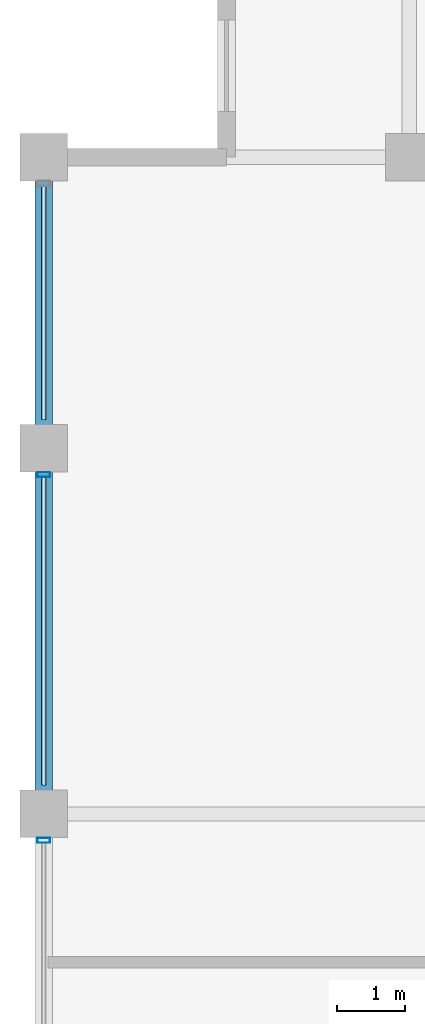
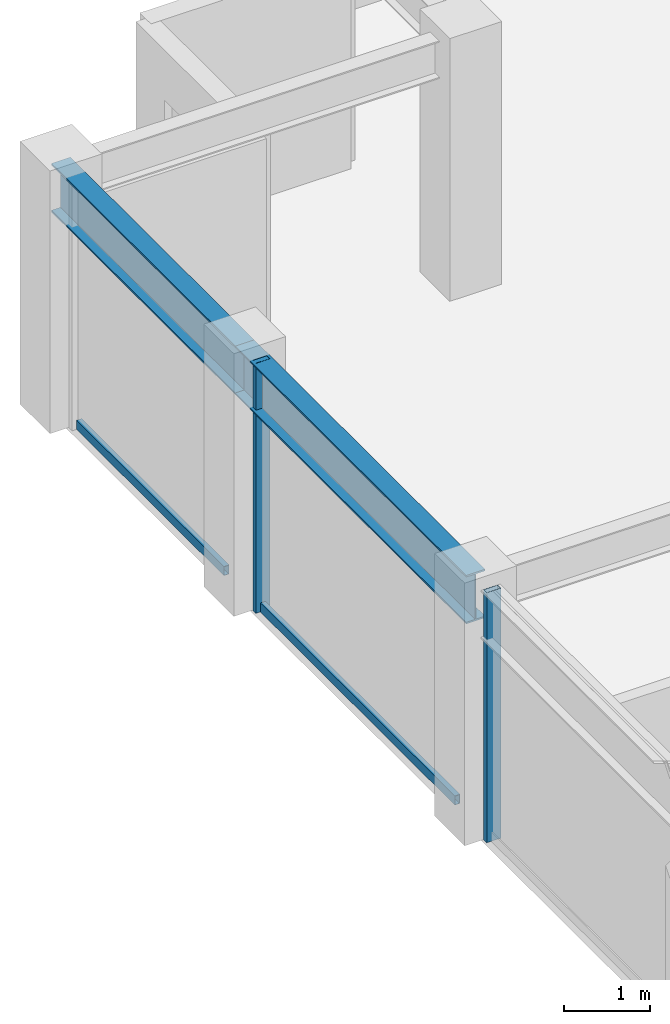
# One storey, part 14 of 30: 4 members, 2 beams, 1 element without a shape of its own.
"""IFC4 building model written with IfcOpenShell, lengths in metres."""

from ifc_helpers import new_model, si_unit, direction, frame, origin, origin_2d, place, context, subcontext, project, spatial, hollow_rectangle, i_section, extrude, material, layer, layer_set, material_profile, profile_set, type_object, element, aggregate, save


model = new_model("IFC4")

# Units and contexts
model_context = context("Model", 3, precision=1e-05, world=origin(), true_north=direction((0.0, 1.0)))
body_context = subcontext(model_context, "Body", "Model", "MODEL_VIEW")
ifc_project = project(units=[si_unit("LENGTHUNIT", "METRE"), si_unit("AREAUNIT", "SQUARE_METRE"), si_unit("VOLUMEUNIT", "CUBIC_METRE"), si_unit("PLANEANGLEUNIT", "RADIAN"), si_unit("MASSUNIT", "GRAM", prefix="KILO")], contexts=[model_context])

# Site, building, storey
site_placement = place(None, origin())
site = spatial("IfcSite", under=ifc_project, at=site_placement, CompositionType="ELEMENT")
building_placement = place(site_placement, origin())
building = spatial("IfcBuilding", under=site, at=building_placement, Name="Surkhivell Harbour Commons", CompositionType="ELEMENT")
storey_placement = place(building_placement, frame((0.0, 0.0, 300.0)))
storey = spatial("IfcBuildingStorey", under=building, at=storey_placement, Name="L78", CompositionType="ELEMENT", Elevation=300.0)

# Beams
ifc_material_1 = material(Name="Steel S355", Category="steel")
ifc_material_profile_1 = material_profile(ifc_material_1, i_section(OverallWidth=0.256103515625, OverallDepth=0.693115234375, WebThickness=0.014404296875, FlangeThickness=0.023681640625, at=origin_2d()), Name="UB686x254x170")
ifc_profile_set_1 = profile_set([ifc_material_profile_1], Name="Steel S355")
beam_type = type_object("IfcBeamType", Name="BM-SPN-686", PredefinedType="SPANDREL", material=ifc_profile_set_1)
beam_1_placement = place(storey_placement, frame((-27.0, 10.800048828125, 3.223388671875), z_axis=(0.0, 1.0, 0.0), x_axis=(-1.0, 0.0, 0.0)))
element("IfcBeam", 1, at=beam_1_placement, inside=storey, type_object=beam_type, Name="L78 Tube Spandrel (-27.0,10.8)", PredefinedType="SPANDREL", context=body_context, shape_type="SweptSolid", body=[
    extrude(i_section(OverallWidth=0.256103515625, OverallDepth=0.693115234375, WebThickness=0.014404296875, FlangeThickness=0.023681640625, at=origin_2d()), origin(), (0.0, 0.0, 1.0), 5.39990234375),
])
beam_2_placement = place(storey_placement, frame((-27.0, 16.199951171875, 3.223388671875), z_axis=(0.0, 1.0, 0.0), x_axis=(-1.0, 0.0, 0.0)))
element("IfcBeam", 2, at=beam_2_placement, inside=storey, type_object=beam_type, Name="L78 Tube Spandrel (-27.0,16.2)", PredefinedType="SPANDREL", context=body_context, shape_type="SweptSolid", body=[
    extrude(i_section(OverallWidth=0.256103515625, OverallDepth=0.693115234375, WebThickness=0.014404296875, FlangeThickness=0.023681640625, at=origin_2d()), origin(), (0.0, 0.0, 1.0), 4.300048828125),
])

# Curtain wall, members
ifc_material_2 = material(Name="Anodised pale-metal aluminium and insulated glazing", Category="aluminium")
ifc_layer = layer(ifc_material_2, 0.175048828125)
ifc_layer_set = layer_set([ifc_layer], Name="Anodised pale-metal aluminium and insulated glazing")
curtain_wall_type = type_object("IfcCurtainWallType", Name="CW-SYS-Z4", PredefinedType="NOTDEFINED", material=ifc_layer_set)
curtain_wall_placement = place(storey_placement, origin())
curtain_wall = element("IfcCurtainWall", 3, at=curtain_wall_placement, inside=storey, type_object=curtain_wall_type, Name="L78 Curtain Wall CW-L78-E12S1", PredefinedType="NOTDEFINED")
ifc_material_3 = material(Name="Anodised pale-metal aluminium alloy 6063-T6", Category="aluminium")
ifc_material_profile_2 = material_profile(ifc_material_3, hollow_rectangle(XDim=0.074951171875, YDim=0.18994140625, WallThickness=0.00390625, at=origin_2d()), Name="ALU-MULL-75x190")
ifc_profile_set_2 = profile_set([ifc_material_profile_2], Name="Anodised pale-metal aluminium alloy 6063-T6")
member_type_1 = type_object("IfcMemberType", Name="CWM-190", PredefinedType="MULLION", material=ifc_profile_set_2)
member_1_placement = place(storey_placement, frame((-27.0, 15.810546875, 0.0), z_axis=(0.0, 0.0, 1.0), x_axis=(0.0, -1.0, 0.0)))
member_1 = element("IfcMember", 4, at=member_1_placement, type_object=member_type_1, Name="CW-Z4 mullion 2", PredefinedType="MULLION", context=body_context, shape_type="SweptSolid", body=[
    extrude(hollow_rectangle(XDim=0.074951171875, YDim=0.18994140625, WallThickness=0.00390625, at=origin_2d()), origin(), (0.0, 0.0, 1.0), 3.570068359375),
])
member_2_placement = place(storey_placement, frame((-27.0, 10.410400390625, 0.0), z_axis=(0.0, 0.0, 1.0), x_axis=(0.0, -1.0, 0.0)))
member_2 = element("IfcMember", 5, at=member_2_placement, type_object=member_type_1, Name="CW-Z4 mullion 3", PredefinedType="MULLION", context=body_context, shape_type="SweptSolid", body=[
    extrude(hollow_rectangle(XDim=0.074951171875, YDim=0.18994140625, WallThickness=0.00390625, at=origin_2d()), origin(), (0.0, 0.0, 1.0), 3.570068359375),
])
ifc_material_4 = material(Name="Champagne anodised aluminium alloy 6063-T6", Category="aluminium")
ifc_material_profile_3 = material_profile(ifc_material_4, hollow_rectangle(XDim=0.070068359375, YDim=0.1298828125, WallThickness=0.00341796875, at=origin_2d()), Name="ALU-TRAN-70x130")
ifc_profile_set_3 = profile_set([ifc_material_profile_3], Name="Champagne anodised aluminium alloy 6063-T6")
member_type_2 = type_object("IfcMemberType", Name="CWT-130", PredefinedType="USERDEFINED", material=ifc_profile_set_3)
member_3_placement = place(storey_placement, frame((-27.0, 20.072998046875, 0.06494140625), z_axis=(0.0, -1.0, 0.0), x_axis=(1.0, 0.0, 0.0)))
member_3 = element("IfcMember", 6, at=member_3_placement, type_object=member_type_2, Name="CW-Z4 transom 1.1", ObjectType="TRANSOM", PredefinedType="USERDEFINED", context=body_context, shape_type="SweptSolid", body=[
    extrude(hollow_rectangle(XDim=0.070068359375, YDim=0.1298828125, WallThickness=0.00341796875, at=origin_2d()), origin(), (0.0, 0.0, 1.0), 3.446044921875),
])
member_4_placement = place(storey_placement, frame((-27.0, 15.77294921875, 0.06494140625), z_axis=(0.0, -1.0, 0.0), x_axis=(1.0, 0.0, 0.0)))
member_4 = element("IfcMember", 7, at=member_4_placement, type_object=member_type_2, Name="CW-Z4 transom 2.1", ObjectType="TRANSOM", PredefinedType="USERDEFINED", context=body_context, shape_type="SweptSolid", body=[
    extrude(hollow_rectangle(XDim=0.070068359375, YDim=0.1298828125, WallThickness=0.00341796875, at=origin_2d()), origin(), (0.0, 0.0, 1.0), 4.5458984375),
])
aggregate(curtain_wall, [member_3, member_1, member_4, member_2])

save(model, "model.ifc")
